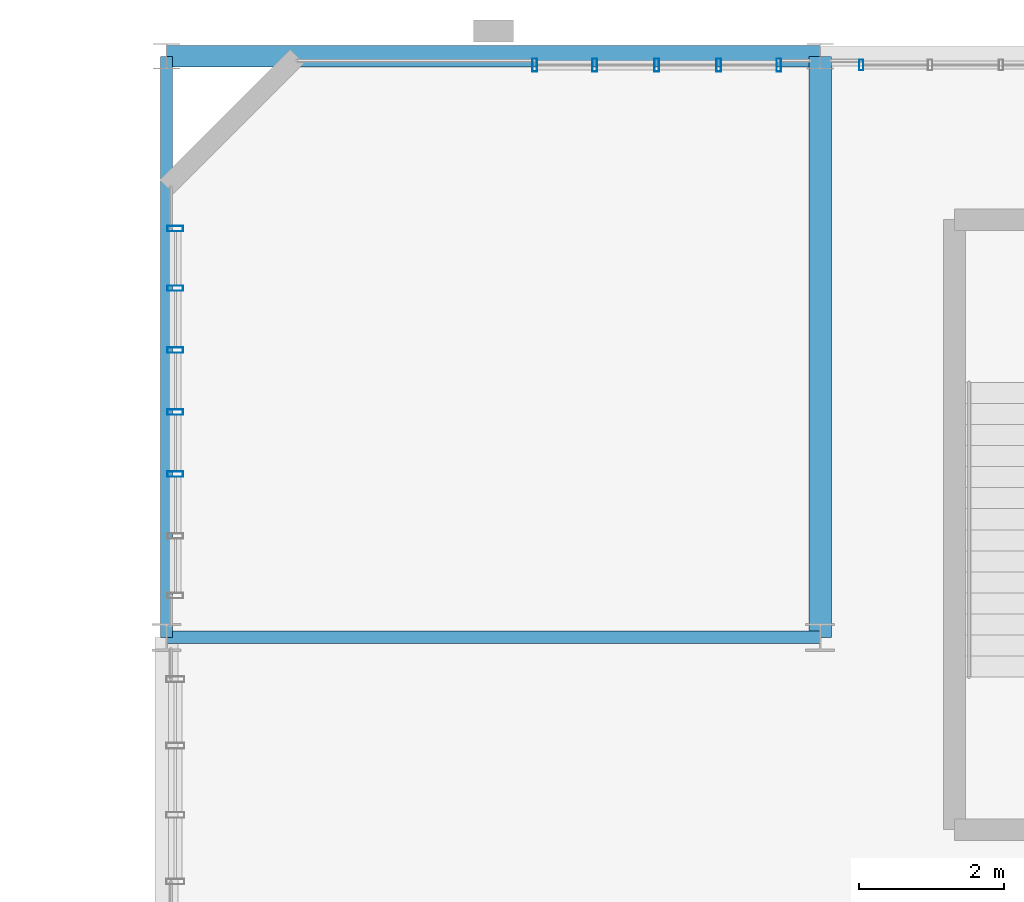
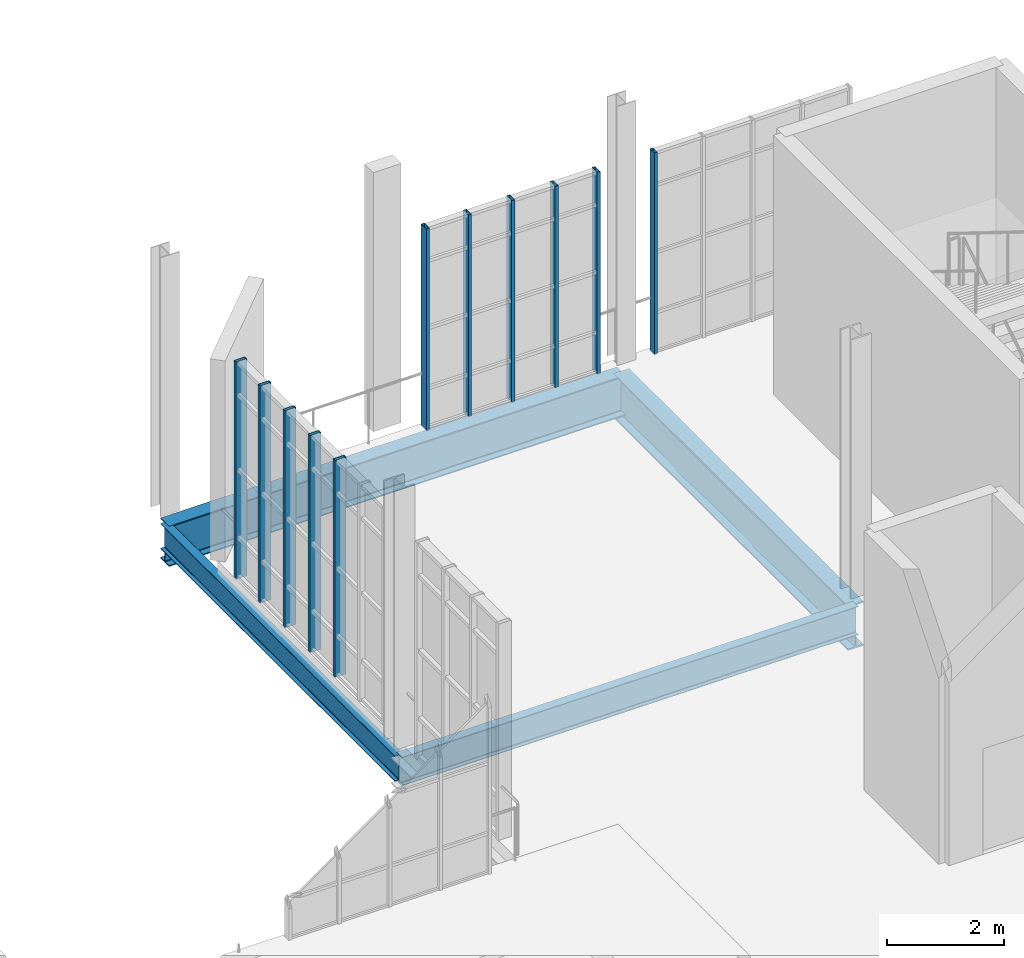
# One storey, part 62 of 142: 11 members, 4 beams, 3 elements without a shape of their own.
"""IFC4 building model written with IfcOpenShell, lengths in metres."""

from ifc_helpers import new_model, si_unit, direction, frame, origin, origin_2d, place, context, subcontext, project, spatial, hollow_rectangle, i_section, extrude, material, layer, layer_set, material_profile, profile_set, type_object, element, aggregate, save


model = new_model("IFC4")

# Units and contexts
model_context = context("Model", 3, precision=1e-05, world=origin(), true_north=direction((0.0, 1.0)))
body_context = subcontext(model_context, "Body", "Model", "MODEL_VIEW")
ifc_project = project(units=[si_unit("LENGTHUNIT", "METRE"), si_unit("AREAUNIT", "SQUARE_METRE"), si_unit("VOLUMEUNIT", "CUBIC_METRE"), si_unit("PLANEANGLEUNIT", "RADIAN"), si_unit("MASSUNIT", "GRAM", prefix="KILO"), si_unit("THERMODYNAMICTEMPERATUREUNIT", "KELVIN"), si_unit("POWERUNIT", "WATT")], contexts=[model_context])

# Site, building, storey
site_placement = place(None, origin())
site = spatial("IfcSite", under=ifc_project, at=site_placement, CompositionType="ELEMENT")
building_placement = place(site_placement, origin())
building = spatial("IfcBuilding", under=site, at=building_placement, Name="Zelmaris Science Centre", CompositionType="ELEMENT")
storey_placement = place(building_placement, frame((0.0, 0.0, 5.39990234375)))
storey = spatial("IfcBuildingStorey", under=building, at=storey_placement, Name="L01", CompositionType="ELEMENT", Elevation=5.39990234375)

# Curtain wall, member
ifc_material_1 = material(Name="Anodised architectural aluminium 6063-T6", Category="aluminium")
ifc_layer_1 = layer(ifc_material_1, 0.219970703125, Name="Anodised architectural aluminium 6063-T6")
ifc_layer_set_1 = layer_set([ifc_layer_1], Name="Anodised architectural aluminium 6063-T6")
curtain_wall_type_1 = type_object("IfcCurtainWallType", Name="Curtain Wall CW-04", PredefinedType="USERDEFINED", material=ifc_layer_set_1)
curtain_wall_1_placement = place(storey_placement, origin())
curtain_wall_1 = element("IfcCurtainWall", 1, at=curtain_wall_1_placement, inside=storey, type_object=curtain_wall_type_1, Name="L01 Unitised curtain wall 132", ObjectType="GLAZED CURTAIN WALL", PredefinedType="USERDEFINED")
ifc_material_profile_1 = material_profile(ifc_material_1, hollow_rectangle(XDim=0.06005859375, YDim=0.14990234375, WallThickness=0.00341796875, at=origin_2d()), Name="ALU-MUL-60X150")
ifc_profile_set_1 = profile_set([ifc_material_profile_1], Name="Anodised architectural aluminium 6063-T6")
member_type_1 = type_object("IfcMemberType", Name="ALU-MUL-60X150", PredefinedType="MULLION", material=ifc_profile_set_1)
member_1_placement = place(storey_placement, frame((63.56591796875, 87.8798828125, -0.014892578125), z_axis=(0.0, 0.0, 1.0), x_axis=(1.0, 0.0, 0.0)))
member_1 = element("IfcMember", 2, at=member_1_placement, type_object=member_type_1, Name="CW-04 mullion 1", PredefinedType="MULLION", context=body_context, shape_type="SweptSolid", body=[
    extrude(hollow_rectangle(XDim=0.06005859375, YDim=0.14990234375, WallThickness=0.00341796875, at=origin_2d()), origin(), (0.0, 0.0, 1.0), 4.2060546875),
])
aggregate(curtain_wall_1, [member_1])

# Curtain wall, members
ifc_layer_2 = layer(ifc_material_1, 0.2099609375, Name="Anodised architectural aluminium 6063-T6")
ifc_layer_set_2 = layer_set([ifc_layer_2], Name="Anodised architectural aluminium 6063-T6")
curtain_wall_type_2 = type_object("IfcCurtainWallType", Name="Curtain Wall CW-03", PredefinedType="USERDEFINED", material=ifc_layer_set_2)
curtain_wall_2_placement = place(storey_placement, origin())
curtain_wall_2 = element("IfcCurtainWall", 3, at=curtain_wall_2_placement, inside=storey, type_object=curtain_wall_type_2, Name="L01 Unitised curtain wall 131", ObjectType="GLAZED CURTAIN WALL", PredefinedType="USERDEFINED")
ifc_material_profile_2 = material_profile(ifc_material_1, hollow_rectangle(XDim=0.06494140625, YDim=0.179931640625, WallThickness=0.00390625, at=origin_2d()), Name="ALU-MUL-65X180")
ifc_profile_set_2 = profile_set([ifc_material_profile_2], Name="Anodised architectural aluminium 6063-T6")
member_type_2 = type_object("IfcMemberType", Name="ALU-MUL-65X180", PredefinedType="MULLION", material=ifc_profile_set_2)
member_2_placement = place(storey_placement, frame((59.068603515625, 87.8798828125, -0.014892578125), z_axis=(0.0, 0.0, 1.0), x_axis=(1.0, 0.0, 0.0)))
member_2 = element("IfcMember", 4, at=member_2_placement, type_object=member_type_2, Name="CW-03 mullion 1", PredefinedType="MULLION", context=body_context, shape_type="SweptSolid", body=[
    extrude(hollow_rectangle(XDim=0.06494140625, YDim=0.179931640625, WallThickness=0.00390625, at=origin_2d()), origin(), (0.0, 0.0, 1.0), 4.2060546875),
])
member_3_placement = place(storey_placement, frame((59.89501953125, 87.8798828125, -0.014892578125), z_axis=(0.0, 0.0, 1.0), x_axis=(1.0, 0.0, 0.0)))
member_3 = element("IfcMember", 5, at=member_3_placement, type_object=member_type_2, Name="CW-03 mullion 2", PredefinedType="MULLION", context=body_context, shape_type="SweptSolid", body=[
    extrude(hollow_rectangle(XDim=0.06494140625, YDim=0.179931640625, WallThickness=0.00390625, at=origin_2d()), origin(), (0.0, 0.0, 1.0), 4.2060546875),
])
member_4_placement = place(storey_placement, frame((60.75, 87.8798828125, -0.014892578125), z_axis=(0.0, 0.0, 1.0), x_axis=(1.0, 0.0, 0.0)))
member_4 = element("IfcMember", 6, at=member_4_placement, type_object=member_type_2, Name="CW-03 mullion 3", PredefinedType="MULLION", context=body_context, shape_type="SweptSolid", body=[
    extrude(hollow_rectangle(XDim=0.06494140625, YDim=0.179931640625, WallThickness=0.00390625, at=origin_2d()), origin(), (0.0, 0.0, 1.0), 4.2060546875),
])
member_5_placement = place(storey_placement, frame((61.60498046875, 87.8798828125, -0.014892578125), z_axis=(0.0, 0.0, 1.0), x_axis=(1.0, 0.0, 0.0)))
member_5 = element("IfcMember", 7, at=member_5_placement, type_object=member_type_2, Name="CW-03 mullion 4", PredefinedType="MULLION", context=body_context, shape_type="SweptSolid", body=[
    extrude(hollow_rectangle(XDim=0.06494140625, YDim=0.179931640625, WallThickness=0.00390625, at=origin_2d()), origin(), (0.0, 0.0, 1.0), 4.2060546875),
])
member_6_placement = place(storey_placement, frame((62.431396484375, 87.8798828125, -0.014892578125), z_axis=(0.0, 0.0, 1.0), x_axis=(1.0, 0.0, 0.0)))
member_6 = element("IfcMember", 8, at=member_6_placement, type_object=member_type_2, Name="CW-03 mullion 5", PredefinedType="MULLION", context=body_context, shape_type="SweptSolid", body=[
    extrude(hollow_rectangle(XDim=0.06494140625, YDim=0.179931640625, WallThickness=0.00390625, at=origin_2d()), origin(), (0.0, 0.0, 1.0), 4.2060546875),
])
aggregate(curtain_wall_2, [member_2, member_3, member_4, member_5, member_6])

ifc_layer_3 = layer(ifc_material_1, 0.199951171875, Name="Anodised architectural aluminium 6063-T6")
ifc_layer_set_3 = layer_set([ifc_layer_3], Name="Anodised architectural aluminium 6063-T6")
curtain_wall_type_3 = type_object("IfcCurtainWallType", Name="Curtain Wall CW-02", PredefinedType="USERDEFINED", material=ifc_layer_set_3)
curtain_wall_3_placement = place(storey_placement, origin())
curtain_wall_3 = element("IfcCurtainWall", 9, at=curtain_wall_3_placement, inside=storey, type_object=curtain_wall_type_3, Name="L01 Unitised curtain wall 130", ObjectType="GLAZED CURTAIN WALL", PredefinedType="USERDEFINED")
ifc_material_profile_3 = material_profile(ifc_material_1, hollow_rectangle(XDim=0.074951171875, YDim=0.219970703125, WallThickness=0.0048828125, at=origin_2d()), Name="ALU-MUL-75X220")
ifc_profile_set_3 = profile_set([ifc_material_profile_3], Name="Anodised architectural aluminium 6063-T6")
member_type_3 = type_object("IfcMemberType", Name="ALU-MUL-75X220", PredefinedType="MULLION", material=ifc_profile_set_3)
member_7_placement = place(storey_placement, frame((54.1201171875, 82.24658203125, -0.014892578125), z_axis=(0.0, 0.0, 1.0), x_axis=(6.981317e-06, 0.999999999976, 0.0)))
member_7 = element("IfcMember", 10, at=member_7_placement, type_object=member_type_3, Name="CW-02 mullion 3", PredefinedType="MULLION", context=body_context, shape_type="SweptSolid", body=[
    extrude(hollow_rectangle(XDim=0.074951171875, YDim=0.219970703125, WallThickness=0.0048828125, at=origin_2d()), origin(), (0.0, 0.0, 1.0), 4.52099609375),
])
member_8_placement = place(storey_placement, frame((54.1201171875, 83.10009765625, -0.014892578125), z_axis=(0.0, 0.0, 1.0), x_axis=(6.981317e-06, 0.999999999976, 0.0)))
member_8 = element("IfcMember", 11, at=member_8_placement, type_object=member_type_3, Name="CW-02 mullion 4", PredefinedType="MULLION", context=body_context, shape_type="SweptSolid", body=[
    extrude(hollow_rectangle(XDim=0.074951171875, YDim=0.219970703125, WallThickness=0.0048828125, at=origin_2d()), origin(), (0.0, 0.0, 1.0), 4.52099609375),
])
member_9_placement = place(storey_placement, frame((54.1201171875, 83.953369140625, -0.014892578125), z_axis=(0.0, 0.0, 1.0), x_axis=(6.981317e-06, 0.999999999976, 0.0)))
member_9 = element("IfcMember", 12, at=member_9_placement, type_object=member_type_3, Name="CW-02 mullion 5", PredefinedType="MULLION", context=body_context, shape_type="SweptSolid", body=[
    extrude(hollow_rectangle(XDim=0.074951171875, YDim=0.219970703125, WallThickness=0.0048828125, at=origin_2d()), origin(), (0.0, 0.0, 1.0), 4.52099609375),
])
member_10_placement = place(storey_placement, frame((54.1201171875, 84.806640625, -0.014892578125), z_axis=(0.0, 0.0, 1.0), x_axis=(6.981317e-06, 0.999999999976, 0.0)))
member_10 = element("IfcMember", 13, at=member_10_placement, type_object=member_type_3, Name="CW-02 mullion 6", PredefinedType="MULLION", context=body_context, shape_type="SweptSolid", body=[
    extrude(hollow_rectangle(XDim=0.074951171875, YDim=0.219970703125, WallThickness=0.0048828125, at=origin_2d()), origin(), (0.0, 0.0, 1.0), 4.52099609375),
])
member_11_placement = place(storey_placement, frame((54.1201171875, 85.62646484375, -0.014892578125), z_axis=(0.0, 0.0, 1.0), x_axis=(6.981317e-06, 0.999999999976, 0.0)))
member_11 = element("IfcMember", 14, at=member_11_placement, type_object=member_type_3, Name="CW-02 mullion 7", PredefinedType="MULLION", context=body_context, shape_type="SweptSolid", body=[
    extrude(hollow_rectangle(XDim=0.074951171875, YDim=0.219970703125, WallThickness=0.0048828125, at=origin_2d()), origin(), (0.0, 0.0, 1.0), 4.52099609375),
])
aggregate(curtain_wall_3, [member_7, member_8, member_9, member_10, member_11])

# Beams
ifc_material_2 = material(Name="Steel ASTM A992 Grade 50", Category="steel")
ifc_material_profile_4 = material_profile(ifc_material_2, i_section(OverallWidth=0.306884765625, OverallDepth=0.927001953125, WebThickness=0.019287109375, FlangeThickness=0.031982421875, FilletRadius=0.02392578125, at=origin_2d()), Name="W36X194")
ifc_profile_set_4 = profile_set([ifc_material_profile_4], Name="Steel ASTM A992 Grade 50")
beam_type_1 = type_object("IfcBeamType", Name="Beam G-03 W36X194", PredefinedType="BEAM", material=ifc_profile_set_4)
beam_1_placement = place(storey_placement, frame((63.0, 80.0, -0.743408203125), z_axis=(0.0, 1.0, 0.0), x_axis=(-1.0, 0.0, 0.0)))
element("IfcBeam", 15, at=beam_1_placement, inside=storey, type_object=beam_type_1, Name="L01 North-south girder 279", PredefinedType="BEAM", context=body_context, shape_type="SweptSolid", body=[
    extrude(i_section(OverallWidth=0.306884765625, OverallDepth=0.927001953125, WebThickness=0.019287109375, FlangeThickness=0.031982421875, FilletRadius=0.02392578125, at=origin_2d()), origin(), (0.0, 0.0, 1.0), 8.0),
])
ifc_material_profile_5 = material_profile(ifc_material_2, i_section(OverallWidth=0.2919921875, OverallDepth=0.841064453125, WebThickness=0.0146484375, FlangeThickness=0.021728515625, FilletRadius=0.02001953125, at=origin_2d()), Name="W33X130")
ifc_profile_set_5 = profile_set([ifc_material_profile_5], Name="Steel ASTM A992 Grade 50")
beam_type_2 = type_object("IfcBeamType", Name="Beam G-07 W33X130", PredefinedType="BEAM", material=ifc_profile_set_5)
beam_2_placement = place(storey_placement, frame((54.0, 88.0, -0.700439453125), z_axis=(1.0, 0.0, 0.0), x_axis=(0.0, 1.0, 0.0)))
element("IfcBeam", 16, at=beam_2_placement, inside=storey, type_object=beam_type_2, Name="L01 East-west girder 406", PredefinedType="BEAM", context=body_context, shape_type="SweptSolid", body=[
    extrude(i_section(OverallWidth=0.2919921875, OverallDepth=0.841064453125, WebThickness=0.0146484375, FlangeThickness=0.021728515625, FilletRadius=0.02001953125, at=origin_2d()), origin(), (0.0, 0.0, 1.0), 9.0),
])
ifc_material_profile_6 = material_profile(ifc_material_2, i_section(OverallWidth=0.177978515625, OverallDepth=0.59912109375, WebThickness=0.010009765625, FlangeThickness=0.0126953125, FilletRadius=0.014892578125, at=origin_2d()), Name="W24X55")
ifc_profile_set_6 = profile_set([ifc_material_profile_6], Name="Steel ASTM A992 Grade 50")
beam_type_3 = type_object("IfcBeamType", Name="Beam G-38 W24X55", PredefinedType="BEAM", material=ifc_profile_set_6)
beam_3_placement = place(storey_placement, frame((54.0, 80.0, -0.579345703125), z_axis=(1.0, 0.0, 0.0), x_axis=(0.0, 1.0, 0.0)))
element("IfcBeam", 17, at=beam_3_placement, inside=storey, type_object=beam_type_3, Name="L01 East-west girder 399", PredefinedType="BEAM", context=body_context, shape_type="SweptSolid", body=[
    extrude(i_section(OverallWidth=0.177978515625, OverallDepth=0.59912109375, WebThickness=0.010009765625, FlangeThickness=0.0126953125, FilletRadius=0.014892578125, at=origin_2d()), origin(), (0.0, 0.0, 1.0), 9.0),
])
ifc_material_profile_7 = material_profile(ifc_material_2, i_section(OverallWidth=0.1650390625, OverallDepth=0.52587890625, WebThickness=0.0087890625, FlangeThickness=0.011474609375, FilletRadius=0.013916015625, at=origin_2d()), Name="W21X44")
ifc_profile_set_7 = profile_set([ifc_material_profile_7], Name="Steel ASTM A992 Grade 50")
beam_type_4 = type_object("IfcBeamType", Name="Beam G-40 W21X44", PredefinedType="BEAM", material=ifc_profile_set_7)
beam_4_placement = place(storey_placement, frame((54.0, 80.0, -0.54296875), z_axis=(0.0, 1.0, 0.0), x_axis=(-1.0, 0.0, 0.0)))
element("IfcBeam", 18, at=beam_4_placement, inside=storey, type_object=beam_type_4, Name="L01 North-south girder 277", PredefinedType="BEAM", context=body_context, shape_type="SweptSolid", body=[
    extrude(i_section(OverallWidth=0.1650390625, OverallDepth=0.52587890625, WebThickness=0.0087890625, FlangeThickness=0.011474609375, FilletRadius=0.013916015625, at=origin_2d()), origin(), (0.0, 0.0, 1.0), 8.0),
])

save(model, "model.ifc")
